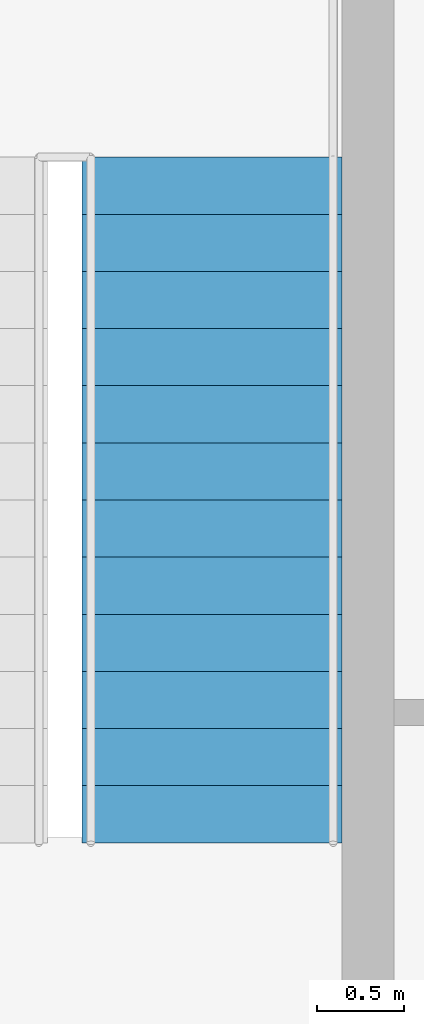
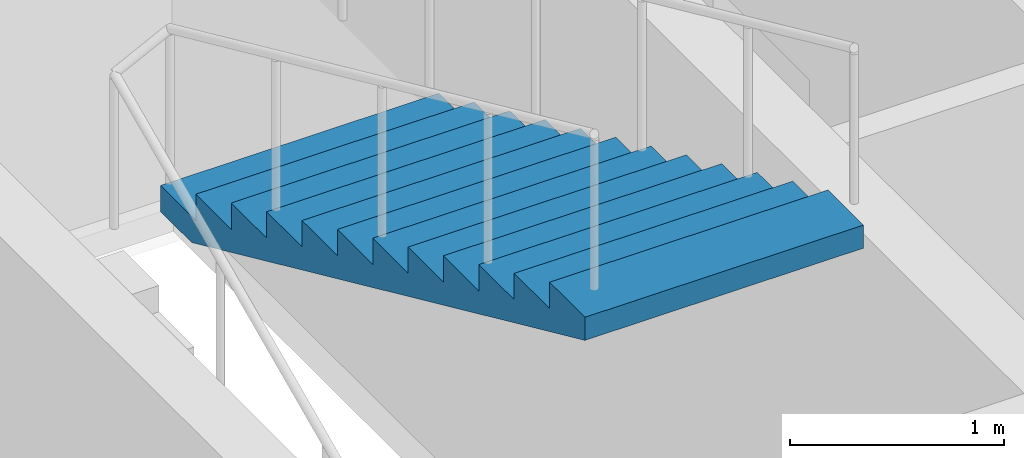
# One storey, part 9 of 10: 1 stair flight, 1 element without a shape of its own.
"""IFC4 building model written with IfcOpenShell, lengths in metres."""

from ifc_helpers import new_model, si_unit, direction, frame, origin, place, context, subcontext, project, spatial, polygons, material, type_object, element, aggregate, save


model = new_model("IFC4")

# Units and contexts
model_context = context("Model", 3, precision=1e-05, world=origin(), true_north=direction((0.0, 1.0)))
body_context = subcontext(model_context, "Body", "Model", "MODEL_VIEW")
ifc_project = project(units=[si_unit("LENGTHUNIT", "METRE"), si_unit("AREAUNIT", "SQUARE_METRE"), si_unit("VOLUMEUNIT", "CUBIC_METRE"), si_unit("PLANEANGLEUNIT", "RADIAN"), si_unit("MASSUNIT", "GRAM", prefix="KILO")], contexts=[model_context])

# Site, building, storey
site_placement = place(None, origin())
site = spatial("IfcSite", under=ifc_project, at=site_placement, CompositionType="ELEMENT")
building_placement = place(site_placement, origin())
building = spatial("IfcBuilding", under=site, at=building_placement, Name="Njiva Tower", CompositionType="ELEMENT")
storey_placement = place(building_placement, frame((0.0, 0.0, 200.4)))
storey = spatial("IfcBuildingStorey", under=building, at=storey_placement, Name="L44", CompositionType="ELEMENT", Elevation=200.4)

# Stair, stair flight
ifc_material = material(Name="Concrete C40/50", Category="concrete")
stair_type = type_object("IfcStairType", Name="ST4 Exit stair 1500", PredefinedType="HALF_TURN_STAIR", material=ifc_material)
stair_placement = place(storey_placement, origin())
stair = element("IfcStair", 1, at=stair_placement, inside=storey, type_object=stair_type, Name="Stair B", PredefinedType="HALF_TURN_STAIR")
stair_flight_type = type_object("IfcStairFlightType", Name="FL4 Stair flight 1500", PredefinedType="STRAIGHT", material=ifc_material)
stair_flight_placement = place(storey_placement, frame((13.45, 15.06, 1.95), z_axis=(0.0, 0.0, 1.0), x_axis=(0.0, -1.0, 0.0)))
stair_flight = element("IfcStairFlight", 2, at=stair_flight_placement, type_object=stair_flight_type, Name="ST-B flight 2", NumberOfRisers=13, NumberOfTreads=12, PredefinedType="STRAIGHT", RiserHeight=0.15, TreadLength=0.33, context=body_context, shape_type="Tessellation", body=[
    polygons([(0.0, 0.75, 0.0), (0.0, 0.375, 0.0), (0.0, 0.0, 0.0), (0.0, -0.375, 0.0), (0.0, -0.75, 0.0), (0.0, 0.75, 0.15), (0.0, 0.375, 0.15), (0.0, 0.0, 0.15), (0.0, -0.375, 0.15), (0.0, -0.75, 0.15), (0.33, 0.75, 0.15), (0.33, 0.375, 0.15), (0.33, 0.0, 0.15), (0.33, -0.375, 0.15), (0.33, -0.75, 0.15), (0.33, 0.75, 0.3), (0.33, 0.375, 0.3), (0.33, 0.0, 0.3), (0.33, -0.375, 0.3), (0.33, -0.75, 0.3), (0.66, 0.75, 0.3), (0.66, 0.375, 0.3), (0.66, 0.0, 0.3), (0.66, -0.375, 0.3), (0.66, -0.75, 0.3), (0.66, 0.75, 0.45), (0.66, 0.375, 0.45), (0.66, 0.0, 0.45), (0.66, -0.375, 0.45), (0.66, -0.75, 0.45), (0.99, 0.75, 0.45), (0.99, 0.375, 0.45), (0.99, 0.0, 0.45), (0.99, -0.375, 0.45), (0.99, -0.75, 0.45), (0.99, 0.75, 0.6), (0.99, 0.375, 0.6), (0.99, 0.0, 0.6), (0.99, -0.375, 0.6), (0.99, -0.75, 0.6), (1.32, 0.75, 0.6), (1.32, 0.375, 0.6), (1.32, 0.0, 0.6), (1.32, -0.375, 0.6), (1.32, -0.75, 0.6), (1.32, 0.75, 0.75), (1.32, 0.375, 0.75), (1.32, 0.0, 0.75), (1.32, -0.375, 0.75), (1.32, -0.75, 0.75), (1.65, 0.75, 0.75), (1.65, 0.375, 0.75), (1.65, 0.0, 0.75), (1.65, -0.375, 0.75), (1.65, -0.75, 0.75), (1.65, 0.75, 0.9), (1.65, 0.375, 0.9), (1.65, 0.0, 0.9), (1.65, -0.375, 0.9), (1.65, -0.75, 0.9), (1.98, 0.75, 0.9), (1.98, 0.375, 0.9), (1.98, 0.0, 0.9), (1.98, -0.375, 0.9), (1.98, -0.75, 0.9), (1.98, 0.75, 1.05), (1.98, 0.375, 1.05), (1.98, 0.0, 1.05), (1.98, -0.375, 1.05), (1.98, -0.75, 1.05), (2.31, 0.75, 1.05), (2.31, 0.375, 1.05), (2.31, 0.0, 1.05), (2.31, -0.375, 1.05), (2.31, -0.75, 1.05), (2.31, 0.75, 1.2), (2.31, 0.375, 1.2), (2.31, 0.0, 1.2), (2.31, -0.375, 1.2), (2.31, -0.75, 1.2), (2.64, 0.75, 1.2), (2.64, 0.375, 1.2), (2.64, 0.0, 1.2), (2.64, -0.375, 1.2), (2.64, -0.75, 1.2), (2.64, 0.75, 1.35), (2.64, 0.375, 1.35), (2.64, 0.0, 1.35), (2.64, -0.375, 1.35), (2.64, -0.75, 1.35), (2.97, 0.75, 1.35), (2.97, 0.375, 1.35), (2.97, 0.0, 1.35), (2.97, -0.375, 1.35), (2.97, -0.75, 1.35), (2.97, 0.75, 1.5), (2.97, 0.375, 1.5), (2.97, 0.0, 1.5), (2.97, -0.375, 1.5), (2.97, -0.75, 1.5), (3.3, 0.75, 1.5), (3.3, 0.375, 1.5), (3.3, 0.0, 1.5), (3.3, -0.375, 1.5), (3.3, -0.75, 1.5), (3.3, 0.75, 1.65), (3.3, 0.375, 1.65), (3.3, 0.0, 1.65), (3.3, -0.375, 1.65), (3.3, -0.75, 1.65), (3.63, 0.75, 1.65), (3.63, 0.375, 1.65), (3.63, 0.0, 1.65), (3.63, -0.375, 1.65), (3.63, -0.75, 1.65), (3.63, 0.75, 1.8), (3.63, 0.375, 1.8), (3.63, 0.0, 1.8), (3.63, -0.375, 1.8), (3.63, -0.75, 1.8), (3.96, 0.75, 1.8), (3.96, 0.375, 1.8), (3.96, 0.0, 1.8), (3.96, -0.375, 1.8), (3.96, -0.75, 1.8), (3.96, 0.75, 1.6682), (3.96, 0.375, 1.6682), (3.96, 0.0, 1.6682), (3.96, -0.375, 1.6682), (3.96, -0.75, 1.6682), (0.29, 0.75, 0.0), (0.29, 0.375, 0.0), (0.29, 0.0, 0.0), (0.29, -0.375, 0.0), (0.29, -0.75, 0.0)], [[[1, 6, 11, 16, 21, 26, 31, 36, 41, 46, 51, 56, 61, 66, 71, 76, 81, 86, 91, 96, 101, 106, 111, 116, 121, 126, 131]], [[135, 130, 125, 120, 115, 110, 105, 100, 95, 90, 85, 80, 75, 70, 65, 60, 55, 50, 45, 40, 35, 30, 25, 20, 15, 10, 5]], [[6, 1, 2, 7]], [[7, 2, 3, 8]], [[8, 3, 4, 9]], [[9, 4, 5, 10]], [[11, 6, 7, 12]], [[12, 7, 8, 13]], [[13, 8, 9, 14]], [[14, 9, 10, 15]], [[16, 11, 12, 17]], [[17, 12, 13, 18]], [[18, 13, 14, 19]], [[19, 14, 15, 20]], [[21, 16, 17, 22]], [[22, 17, 18, 23]], [[23, 18, 19, 24]], [[24, 19, 20, 25]], [[26, 21, 22, 27]], [[27, 22, 23, 28]], [[28, 23, 24, 29]], [[29, 24, 25, 30]], [[31, 26, 27, 32]], [[32, 27, 28, 33]], [[33, 28, 29, 34]], [[34, 29, 30, 35]], [[36, 31, 32, 37]], [[37, 32, 33, 38]], [[38, 33, 34, 39]], [[39, 34, 35, 40]], [[41, 36, 37, 42]], [[42, 37, 38, 43]], [[43, 38, 39, 44]], [[44, 39, 40, 45]], [[46, 41, 42, 47]], [[47, 42, 43, 48]], [[48, 43, 44, 49]], [[49, 44, 45, 50]], [[51, 46, 47, 52]], [[52, 47, 48, 53]], [[53, 48, 49, 54]], [[54, 49, 50, 55]], [[56, 51, 52, 57]], [[57, 52, 53, 58]], [[58, 53, 54, 59]], [[59, 54, 55, 60]], [[61, 56, 57, 62]], [[62, 57, 58, 63]], [[63, 58, 59, 64]], [[64, 59, 60, 65]], [[66, 61, 62, 67]], [[67, 62, 63, 68]], [[68, 63, 64, 69]], [[69, 64, 65, 70]], [[71, 66, 67, 72]], [[72, 67, 68, 73]], [[73, 68, 69, 74]], [[74, 69, 70, 75]], [[76, 71, 72, 77]], [[77, 72, 73, 78]], [[78, 73, 74, 79]], [[79, 74, 75, 80]], [[81, 76, 77, 82]], [[82, 77, 78, 83]], [[83, 78, 79, 84]], [[84, 79, 80, 85]], [[86, 81, 82, 87]], [[87, 82, 83, 88]], [[88, 83, 84, 89]], [[89, 84, 85, 90]], [[91, 86, 87, 92]], [[92, 87, 88, 93]], [[93, 88, 89, 94]], [[94, 89, 90, 95]], [[96, 91, 92, 97]], [[97, 92, 93, 98]], [[98, 93, 94, 99]], [[99, 94, 95, 100]], [[101, 96, 97, 102]], [[102, 97, 98, 103]], [[103, 98, 99, 104]], [[104, 99, 100, 105]], [[106, 101, 102, 107]], [[107, 102, 103, 108]], [[108, 103, 104, 109]], [[109, 104, 105, 110]], [[111, 106, 107, 112]], [[112, 107, 108, 113]], [[113, 108, 109, 114]], [[114, 109, 110, 115]], [[116, 111, 112, 117]], [[117, 112, 113, 118]], [[118, 113, 114, 119]], [[119, 114, 115, 120]], [[121, 116, 117, 122]], [[122, 117, 118, 123]], [[123, 118, 119, 124]], [[124, 119, 120, 125]], [[126, 121, 122, 127]], [[127, 122, 123, 128]], [[128, 123, 124, 129]], [[129, 124, 125, 130]], [[131, 126, 127, 132]], [[132, 127, 128, 133]], [[133, 128, 129, 134]], [[134, 129, 130, 135]], [[1, 131, 132, 2]], [[2, 132, 133, 3]], [[3, 133, 134, 4]], [[4, 134, 135, 5]]], closed=True),
])
aggregate(stair, [stair_flight])

save(model, "model.ifc")
